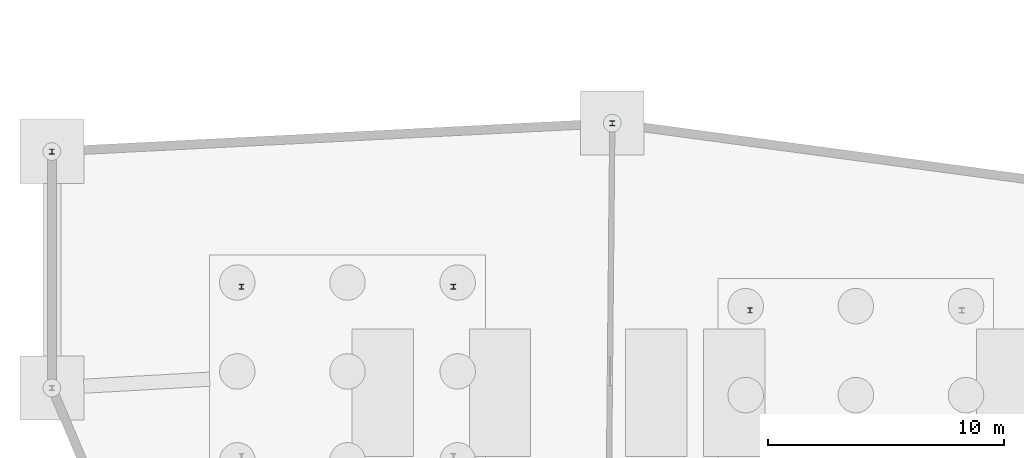
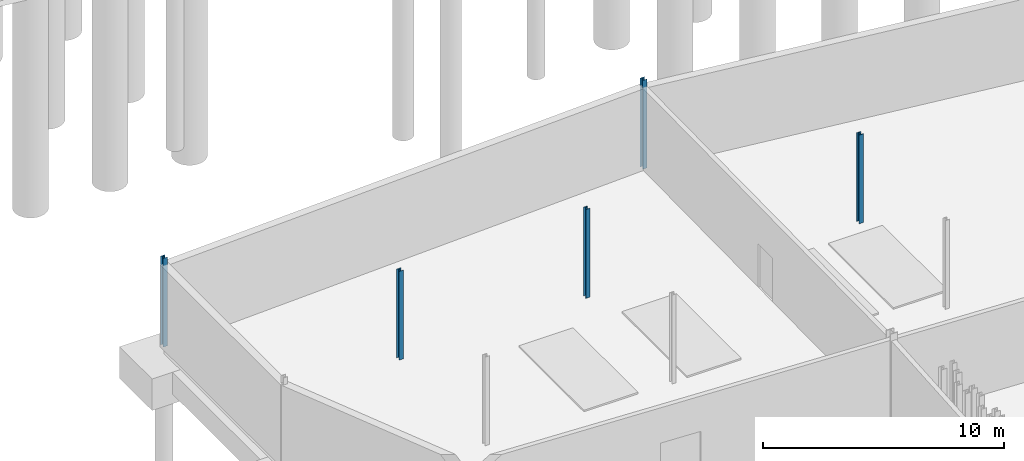
# One storey, part 9 of 37: 5 columns.
"""IFC4 building model written with IfcOpenShell, lengths in metres."""

from ifc_helpers import new_model, si_unit, direction, frame, origin, origin_2d, place, context, subcontext, project, spatial, i_section, extrude, material, material_profile, profile_set, type_object, element, save


model = new_model("IFC4")

# Units and contexts
model_context = context("Model", 3, precision=1e-05, world=origin(), true_north=direction((0.0, 1.0)))
body_context = subcontext(model_context, "Body", "Model", "MODEL_VIEW")
ifc_project = project(units=[si_unit("LENGTHUNIT", "METRE"), si_unit("AREAUNIT", "SQUARE_METRE"), si_unit("VOLUMEUNIT", "CUBIC_METRE"), si_unit("PLANEANGLEUNIT", "RADIAN"), si_unit("MASSUNIT", "GRAM", prefix="KILO")], contexts=[model_context])

# Site, building, storey
site_placement = place(None, origin())
site = spatial("IfcSite", under=ifc_project, at=site_placement, CompositionType="ELEMENT")
building_placement = place(site_placement, origin())
building = spatial("IfcBuilding", under=site, at=building_placement, Name="Tameran Prism Museum", CompositionType="ELEMENT")
storey_placement = place(building_placement, frame((0.0, 0.0, -4.5)))
storey = spatial("IfcBuildingStorey", under=building, at=storey_placement, Name="B1", CompositionType="ELEMENT", Elevation=-4.5)

# Columns
ifc_material = material(Name="Steel Grade 300PLUS (300 MPa)", Category="steel")
ifc_material_profile = material_profile(ifc_material, i_section(OverallWidth=0.205078125, OverallDepth=0.2099609375, WebThickness=0.00927734375, FlangeThickness=0.01416015625, FilletRadius=0.01025390625, at=origin_2d()))
ifc_profile_set = profile_set([ifc_material_profile])
column_type = type_object("IfcColumnType", Name="COL-UC200", PredefinedType="COLUMN", material=ifc_profile_set)
for number, where, z_axis, x_axis, name in (
    (1, (0.0, 41.800048828125, 0.0), (0.0, 0.0, 1.0), (1.0, 0.0, 0.0), "Column CV-04 B1"),
    (2, (23.699951171875, 43.0, 0.0), (0.0, 0.0, 1.0), (1.0, 0.0, 0.0), "Column CV-15 B1"),
    (3, (16.97998046875, 36.080078125, 0.0), (0.0, 0.0, 1.0), (1.0, 0.0, 0.0), "Column CC-10-3 B1"),
    (4, (8.02001953125, 36.080078125, 0.0), (0.0, 0.0, 1.0), (1.0, 0.0, 0.0), "Column CC-10-4 B1"),
    (5, (29.52001953125, 35.080078125, 0.0), (0.0, 0.0, 1.0), (1.0, 0.0, 0.0), "Column CC-12-4 B1"),
):
    element("IfcColumn", number, at=place(storey_placement, frame(where, z_axis=z_axis, x_axis=x_axis)), inside=storey, type_object=column_type, Name=name, PredefinedType="COLUMN", context=body_context, shape_type="SweptSolid", body=[
        extrude(i_section(OverallWidth=0.205078125, OverallDepth=0.2099609375, WebThickness=0.00927734375, FlangeThickness=0.01416015625, FilletRadius=0.01025390625, at=origin_2d()), origin(), (0.0, 0.0, 1.0), 4.5),
    ])

save(model, "model.ifc")
